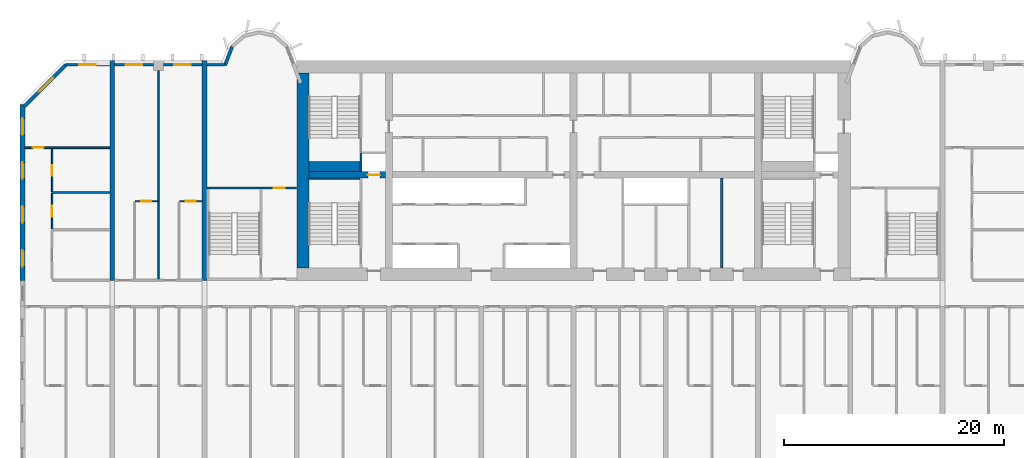
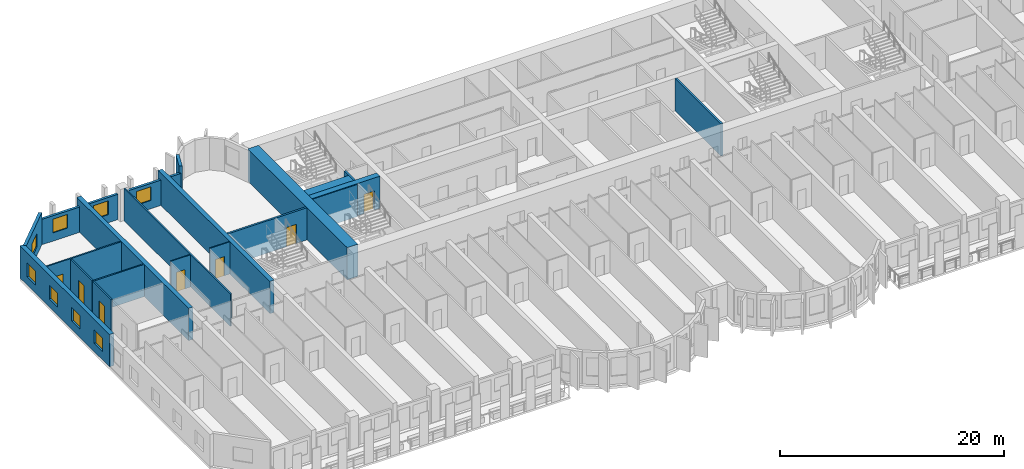
# One storey, part 6 of 15: 23 walls, 8 windows, 7 doors, 15 openings.
"""IFC4 building model written with IfcOpenShell, lengths in metres."""

from ifc_helpers import new_model, si_unit, direction, frame, frame_2d, origin, place, context, subcontext, project, spatial, rectangle, extrude, source, transform, mapped, material, layer, layer_set, type_object, element, fill, save


model = new_model("IFC4")

# Units and contexts
model_context = context("Model", 3, precision=1e-05, world=origin(), true_north=direction((0.0, 1.0)))
body_context = subcontext(model_context, "Body", "Model", "MODEL_VIEW")
ifc_project = project(units=[si_unit("LENGTHUNIT", "METRE"), si_unit("AREAUNIT", "SQUARE_METRE"), si_unit("VOLUMEUNIT", "CUBIC_METRE"), si_unit("PLANEANGLEUNIT", "RADIAN"), si_unit("MASSUNIT", "GRAM", prefix="KILO")], contexts=[model_context])

# Site, building, storey
site_placement = place(None, origin())
site = spatial("IfcSite", under=ifc_project, at=site_placement, CompositionType="ELEMENT")
building_placement = place(site_placement, origin())
building = spatial("IfcBuilding", under=site, at=building_placement, Name="Vanashikhar Sky Hotel", CompositionType="ELEMENT")
storey_placement = place(building_placement, frame((0.0, 0.0, 35.39990234375)))
storey = spatial("IfcBuildingStorey", under=building, at=storey_placement, Name="L07", CompositionType="ELEMENT", Elevation=35.39990234375)

# Wall
ifc_material_1 = material(Name="Concrete M80", Category="concrete")
ifc_layer_1 = layer(ifc_material_1, 1.10009765625)
ifc_layer_set_1 = layer_set([ifc_layer_1], Name="RC core shell wall 1100 Concrete M80")
wall_type_1 = type_object("IfcWallType", Name="RC core shell wall 1100 Concrete M80", PredefinedType="SHEAR", material=ifc_layer_set_1)
shared_shape_1 = source(origin(), body_context, "Body", "SweptSolid", [
    extrude(rectangle(XDim=17.7998046875, YDim=1.10009765625, at=frame_2d((8.89990234375, 0.0))), origin(), (0.0, 0.0, 1.0), 3.52001953125),
])
wall_1_placement = place(storey_placement, frame((25.75, 23.10009765625, 0.0), z_axis=(0.0, 0.0, 1.0), x_axis=(0.0, 1.0, 0.0)))
element("IfcWall", 1, at=wall_1_placement, inside=storey, type_object=wall_type_1, Name="KW-L07-KW", PredefinedType="SHEAR", context=body_context, shape_type="MappedRepresentation", body=[
    mapped(shared_shape_1, transform((0.0, 0.0, 0.0), scale=1.0)),
])

# Wall, opening, door
ifc_layer_2 = layer(ifc_material_1, 0.60009765625)
ifc_layer_set_2 = layer_set([ifc_layer_2], Name="RC core inner wall 600 Concrete M80")
wall_type_2 = type_object("IfcWallType", Name="RC core inner wall 600 Concrete M80", PredefinedType="SHEAR", material=ifc_layer_set_2)
shared_shape_2 = source(origin(), body_context, "Body", "SweptSolid", [
    extrude(rectangle(XDim=7.0, YDim=0.60009765625, at=frame_2d((3.5, 0.0))), origin(), (0.0, 0.0, 1.0), 3.52001953125),
])
wall_2_placement = place(storey_placement, frame((26.300048828125, 31.60009765625, 0.0), z_axis=(0.0, 0.0, 1.0), x_axis=(1.0, 0.0, 0.0)))
wall_2 = element("IfcWall", 2, at=wall_2_placement, inside=storey, type_object=wall_type_2, Name="KW-L07-KY1", PredefinedType="SHEAR", context=body_context, shape_type="MappedRepresentation", body=[
    mapped(shared_shape_2, transform((0.0, 0.0, 0.0), scale=1.0)),
])
shared_shape_3 = source(origin(), body_context, "Body", "SweptSolid", [
    extrude(rectangle(XDim=1.10009765625, YDim=2.10009765625, at=frame_2d((0.550048828125, 1.050048828125))), frame((0.0, 0.31005859375, 0.0), z_axis=(0.0, -1.0, 0.0), x_axis=(1.0, 0.0, 0.0)), (0.0, 0.0, 1.0), 0.6201171875),
])
opening_1_placement = place(wall_2_placement, frame((5.375, 0.0, 0.0)))
opening_1 = element("IfcOpeningElement", 3, at=opening_1_placement, cuts=wall_2, Name="Opening LD", PredefinedType="OPENING", context=body_context, shape_type="MappedRepresentation", body=[
    mapped(shared_shape_3, transform((0.0, 0.0, 0.0), scale=1.0)),
])
ifc_material_2 = material(Name="Stainless steel", Category="steel")
door_type_1 = type_object("IfcDoorType", Name="Lift landing door 1100", OperationType="NOTDEFINED", PredefinedType="DOOR", material=ifc_material_2)
shared_shape_4 = source(origin(), body_context, "Body", "SweptSolid", [
    extrude(rectangle(XDim=1.10009765625, YDim=2.10009765625, at=frame_2d((0.550048828125, 1.050048828125))), frame((0.0, 0.02490234375, 0.0), z_axis=(0.0, -1.0, 0.0), x_axis=(1.0, 0.0, 0.0)), (0.0, 0.0, 1.0), 0.050048828125),
])
door_1_placement = place(opening_1_placement, origin())
door_1 = element("IfcDoor", 4, at=door_1_placement, inside=storey, type_object=door_type_1, Name="Lift landing door 1100", OperationType="SLIDING_TO_RIGHT", OverallHeight=2.10009765625, OverallWidth=1.10009765625, PredefinedType="DOOR", context=body_context, shape_type="MappedRepresentation", body=[
    mapped(shared_shape_4, transform((0.0, 0.0, 0.0), scale=1.0)),
])
fill(opening_1, door_1)

# Wall, openings, windows
ifc_layer_3 = layer(ifc_material_1, 0.449951171875)
ifc_layer_set_3 = layer_set([ifc_layer_3], Name="RC shear wall 450 Concrete M80")
wall_type_3 = type_object("IfcWallType", Name="RC shear wall 450 Concrete M80", PredefinedType="SHEAR", material=ifc_layer_set_3)
shared_shape_5 = source(origin(), body_context, "Body", "SweptSolid", [
    extrude(rectangle(XDim=16.0, YDim=0.449951171875, at=frame_2d((8.0, 0.0))), origin(), (0.0, 0.0, 1.0), 3.52001953125),
])
wall_3_placement = place(storey_placement, frame((0.22509765625, 22.0, 0.0), z_axis=(0.0, 0.0, 1.0), x_axis=(0.0, 1.0, 0.0)))
wall_3 = element("IfcWall", 5, at=wall_3_placement, inside=storey, type_object=wall_type_3, Name="CW-L07-XW01-2", PredefinedType="SHEAR", context=body_context, shape_type="MappedRepresentation", body=[
    mapped(shared_shape_5, transform((0.0, 0.0, 0.0), scale=1.0)),
])
shared_shape_6 = source(origin(), body_context, "Body", "SweptSolid", [
    extrude(rectangle(XDim=1.5, YDim=1.5, at=frame_2d((0.75, 0.75))), frame((0.0, 0.23486328125, 0.0), z_axis=(0.0, -1.0, 0.0), x_axis=(1.0, 0.0, 0.0)), (0.0, 0.0, 1.0), 0.469970703125),
])
opening_2_placement = place(wall_3_placement, frame((1.25, 0.0, 0.89990234375)))
opening_2 = element("IfcOpeningElement", 6, at=opening_2_placement, cuts=wall_3, Name="Opening WN-1", PredefinedType="OPENING", context=body_context, shape_type="MappedRepresentation", body=[
    mapped(shared_shape_6, transform((0.0, 0.0, 0.0), scale=1.0)),
])
opening_3_placement = place(wall_3_placement, frame((5.25, 0.0, 0.89990234375)))
opening_3 = element("IfcOpeningElement", 7, at=opening_3_placement, cuts=wall_3, Name="Opening WN-1", PredefinedType="OPENING", context=body_context, shape_type="MappedRepresentation", body=[
    mapped(shared_shape_6, transform((0.0, 0.0, 0.0), scale=1.0)),
])
opening_4_placement = place(wall_3_placement, frame((9.25, 0.0, 0.89990234375)))
opening_4 = element("IfcOpeningElement", 8, at=opening_4_placement, cuts=wall_3, Name="Opening WN-1", PredefinedType="OPENING", context=body_context, shape_type="MappedRepresentation", body=[
    mapped(shared_shape_6, transform((0.0, 0.0, 0.0), scale=1.0)),
])
opening_5_placement = place(wall_3_placement, frame((13.25, 0.0, 0.89990234375)))
opening_5 = element("IfcOpeningElement", 9, at=opening_5_placement, cuts=wall_3, Name="Opening WN-1", PredefinedType="OPENING", context=body_context, shape_type="MappedRepresentation", body=[
    mapped(shared_shape_6, transform((0.0, 0.0, 0.0), scale=1.0)),
])
ifc_material_3 = material(Name="Glass", Category="glass")
window_type_1 = type_object("IfcWindowType", Name="Window 1500 x 1500", PartitioningType="SINGLE_PANEL", PredefinedType="WINDOW", material=ifc_material_3)
shared_shape_7 = source(origin(), body_context, "Body", "SweptSolid", [
    extrude(rectangle(XDim=1.5, YDim=1.5, at=frame_2d((0.75, 0.75))), frame((0.0, 0.030029296875, 0.0), z_axis=(0.0, -1.0, 0.0), x_axis=(1.0, 0.0, 0.0)), (0.0, 0.0, 1.0), 0.06005859375),
])
window_1_placement = place(opening_2_placement, origin())
window_1 = element("IfcWindow", 10, at=window_1_placement, inside=storey, type_object=window_type_1, Name="Window WN-1", OverallHeight=1.5, OverallWidth=1.5, PartitioningType="SINGLE_PANEL", PredefinedType="WINDOW", context=body_context, shape_type="MappedRepresentation", body=[
    mapped(shared_shape_7, transform((0.0, 0.0, 0.0), scale=1.0)),
])
fill(opening_2, window_1)
window_2_placement = place(opening_3_placement, origin())
window_2 = element("IfcWindow", 11, at=window_2_placement, inside=storey, type_object=window_type_1, Name="Window WN-1", OverallHeight=1.5, OverallWidth=1.5, PartitioningType="SINGLE_PANEL", PredefinedType="WINDOW", context=body_context, shape_type="MappedRepresentation", body=[
    mapped(shared_shape_7, transform((0.0, 0.0, 0.0), scale=1.0)),
])
fill(opening_3, window_2)
window_3_placement = place(opening_4_placement, origin())
window_3 = element("IfcWindow", 12, at=window_3_placement, inside=storey, type_object=window_type_1, Name="Window WN-1", OverallHeight=1.5, OverallWidth=1.5, PartitioningType="SINGLE_PANEL", PredefinedType="WINDOW", context=body_context, shape_type="MappedRepresentation", body=[
    mapped(shared_shape_7, transform((0.0, 0.0, 0.0), scale=1.0)),
])
fill(opening_4, window_3)
window_4_placement = place(opening_5_placement, origin())
window_4 = element("IfcWindow", 13, at=window_4_placement, inside=storey, type_object=window_type_1, Name="Window WN-1", OverallHeight=1.5, OverallWidth=1.5, PartitioningType="SINGLE_PANEL", PredefinedType="WINDOW", context=body_context, shape_type="MappedRepresentation", body=[
    mapped(shared_shape_7, transform((0.0, 0.0, 0.0), scale=1.0)),
])
fill(opening_5, window_4)

# Walls
shared_shape_8 = source(origin(), body_context, "Body", "SweptSolid", [
    extrude(rectangle(XDim=20.0, YDim=0.449951171875, at=frame_2d((10.0, 0.0))), origin(), (0.0, 0.0, 1.0), 3.52001953125),
])
for number, where, z_axis, x_axis, name in (
    (14, (8.39990234375, 22.0, 0.0), (0.0, 0.0, 1.0), (0.0, 1.0, 0.0), "CW-L07-XW02-2"),
    (15, (16.800048828125, 22.0, 0.0), (0.0, 0.0, 1.0), (0.0, 1.0, 0.0), "CW-L07-XW03-2"),
):
    element("IfcWall", number, at=place(storey_placement, frame(where, z_axis=z_axis, x_axis=x_axis)), inside=storey, type_object=wall_type_3, Name=name, PredefinedType="SHEAR", context=body_context, shape_type="MappedRepresentation", body=[
        mapped(shared_shape_8, transform((0.0, 0.0, 0.0), scale=1.0)),
    ])

# Wall, opening, window
ifc_material_4 = material(Name="Concrete M50", Category="concrete")
ifc_layer_4 = layer(ifc_material_4, 0.300048828125)
ifc_layer_set_4 = layer_set([ifc_layer_4], Name="Lobe wall 300")
wall_type_4 = type_object("IfcWallType", Name="Lobe wall 300", PredefinedType="SOLIDWALL", material=ifc_layer_set_4)
shared_shape_9 = source(origin(), body_context, "Body", "SweptSolid", [
    extrude(rectangle(XDim=5.32568359375, YDim=0.300048828125, at=frame_2d((2.662841796875, 0.0))), origin(), (0.0, 0.0, 1.0), 3.52001953125),
])
wall_4_placement = place(storey_placement, frame((4.165771484375, 41.60009765625, 0.0), z_axis=(0.0, 0.0, 1.0), x_axis=(-0.707106781187, -0.707106781187, 0.0)))
wall_4 = element("IfcWall", 16, at=wall_4_placement, inside=storey, type_object=wall_type_4, Name="Corner wall", PredefinedType="SOLIDWALL", context=body_context, shape_type="MappedRepresentation", body=[
    mapped(shared_shape_9, transform((0.0, 0.0, 0.0), scale=1.0)),
])
shared_shape_10 = source(origin(), body_context, "Body", "SweptSolid", [
    extrude(rectangle(XDim=1.800048828125, YDim=1.5, at=frame_2d((0.89990234375, 0.75))), frame((0.0, 0.16015625, 0.0), z_axis=(0.0, -1.0, 0.0), x_axis=(1.0, 0.0, 0.0)), (0.0, 0.0, 1.0), 0.320068359375),
])
opening_6_placement = place(wall_4_placement, frame((1.636474609375, 0.0, 0.89990234375)))
opening_6 = element("IfcOpeningElement", 17, at=opening_6_placement, cuts=wall_4, Name="Opening WN-4", PredefinedType="OPENING", context=body_context, shape_type="MappedRepresentation", body=[
    mapped(shared_shape_10, transform((0.0, 0.0, 0.0), scale=1.0)),
])
window_type_2 = type_object("IfcWindowType", Name="Corner window 1800 x 1500", PartitioningType="SINGLE_PANEL", PredefinedType="WINDOW", material=ifc_material_3)
shared_shape_11 = source(origin(), body_context, "Body", "SweptSolid", [
    extrude(rectangle(XDim=1.800048828125, YDim=1.5, at=frame_2d((0.89990234375, 0.75))), frame((0.0, 0.030029296875, 0.0), z_axis=(0.0, -1.0, 0.0), x_axis=(1.0, 0.0, 0.0)), (0.0, 0.0, 1.0), 0.06005859375),
])
window_5_placement = place(opening_6_placement, origin())
window_5 = element("IfcWindow", 18, at=window_5_placement, inside=storey, type_object=window_type_2, Name="Window WN-4", OverallHeight=1.5, OverallWidth=1.800048828125, PartitioningType="SINGLE_PANEL", PredefinedType="WINDOW", context=body_context, shape_type="MappedRepresentation", body=[
    mapped(shared_shape_11, transform((0.0, 0.0, 0.0), scale=1.0)),
])
fill(opening_6, window_5)

ifc_layer_5 = layer(ifc_material_4, 0.25)
ifc_layer_set_5 = layer_set([ifc_layer_5], Name="Rear and end board-marked wall 250")
wall_type_5 = type_object("IfcWallType", Name="Rear and end board-marked wall 250", PredefinedType="SOLIDWALL", material=ifc_layer_set_5)
shared_shape_12 = source(origin(), body_context, "Body", "SweptSolid", [
    extrude(rectangle(XDim=4.019775390625, YDim=0.25, at=frame_2d((2.009765625, 0.0))), origin(), (0.0, 0.0, 1.0), 2.77001953125),
])
wall_5_placement = place(storey_placement, frame((8.175048828125, 41.625, 0.0), z_axis=(0.0, 0.0, 1.0), x_axis=(-1.0, 0.0, 0.0)))
wall_5 = element("IfcWall", 19, at=wall_5_placement, inside=storey, type_object=wall_type_5, Name="Rear board-marked wall", PredefinedType="SOLIDWALL", context=body_context, shape_type="MappedRepresentation", body=[
    mapped(shared_shape_12, transform((0.0, 0.0, 0.0), scale=1.0)),
])
shared_shape_13 = source(origin(), body_context, "Body", "SweptSolid", [
    extrude(rectangle(XDim=1.5, YDim=1.5, at=frame_2d((0.75, 0.75))), frame((0.0, 0.135009765625, 0.0), z_axis=(0.0, -1.0, 0.0), x_axis=(1.0, 0.0, 0.0)), (0.0, 0.0, 1.0), 0.27001953125),
])
opening_7_placement = place(wall_5_placement, frame((1.260009765625, 0.0, 0.89990234375)))
opening_7 = element("IfcOpeningElement", 20, at=opening_7_placement, cuts=wall_5, Name="Opening WN-1", PredefinedType="OPENING", context=body_context, shape_type="MappedRepresentation", body=[
    mapped(shared_shape_13, transform((0.0, 0.0, 0.0), scale=1.0)),
])
window_6_placement = place(opening_7_placement, origin())
window_6 = element("IfcWindow", 21, at=window_6_placement, inside=storey, type_object=window_type_1, Name="Window WN-1", OverallHeight=1.5, OverallWidth=1.5, PartitioningType="SINGLE_PANEL", PredefinedType="WINDOW", context=body_context, shape_type="MappedRepresentation", body=[
    mapped(shared_shape_7, transform((0.0, 0.0, 0.0), scale=1.0)),
])
fill(opening_7, window_6)

# Wall
shared_shape_14 = source(origin(), body_context, "Body", "SweptSolid", [
    extrude(rectangle(XDim=1.81201171875, YDim=0.300048828125, at=frame_2d((0.906005859375, 0.0))), origin(), (0.0, 0.0, 1.0), 3.52001953125),
])
wall_6_placement = place(storey_placement, frame((19.323486328125, 43.2919921875, 0.0), z_axis=(0.0, 0.0, 1.0), x_axis=(-0.357877270961, -0.93376863244, 0.0)))
element("IfcWall", 22, at=wall_6_placement, inside=storey, type_object=wall_type_4, Name="Lobe wall", PredefinedType="SOLIDWALL", context=body_context, shape_type="MappedRepresentation", body=[
    mapped(shared_shape_14, transform((0.0, 0.0, 0.0), scale=1.0)),
])

# Wall, opening, window
shared_shape_15 = source(origin(), body_context, "Body", "SweptSolid", [
    extrude(rectangle(XDim=3.52490234375, YDim=0.25, at=frame_2d((1.762451171875, 0.0))), origin(), (0.0, 0.0, 1.0), 2.77001953125),
])
wall_7_placement = place(storey_placement, frame((12.14990234375, 41.625, 0.0), z_axis=(0.0, 0.0, 1.0), x_axis=(-1.0, 0.0, 0.0)))
wall_7 = element("IfcWall", 23, at=wall_7_placement, inside=storey, type_object=wall_type_5, Name="Rear board-marked wall", PredefinedType="SOLIDWALL", context=body_context, shape_type="MappedRepresentation", body=[
    mapped(shared_shape_15, transform((0.0, 0.0, 0.0), scale=1.0)),
])
opening_8_placement = place(wall_7_placement, frame((1.012451171875, 0.0, 0.89990234375)))
opening_8 = element("IfcOpeningElement", 24, at=opening_8_placement, cuts=wall_7, Name="Opening WN-1", PredefinedType="OPENING", context=body_context, shape_type="MappedRepresentation", body=[
    mapped(shared_shape_13, transform((0.0, 0.0, 0.0), scale=1.0)),
])
window_7_placement = place(opening_8_placement, origin())
window_7 = element("IfcWindow", 25, at=window_7_placement, inside=storey, type_object=window_type_1, Name="Window WN-1", OverallHeight=1.5, OverallWidth=1.5, PartitioningType="SINGLE_PANEL", PredefinedType="WINDOW", context=body_context, shape_type="MappedRepresentation", body=[
    mapped(shared_shape_7, transform((0.0, 0.0, 0.0), scale=1.0)),
])
fill(opening_8, window_7)

wall_8_placement = place(storey_placement, frame((16.574951171875, 41.625, 0.0), z_axis=(0.0, 0.0, 1.0), x_axis=(-1.0, 0.0, 0.0)))
wall_8 = element("IfcWall", 26, at=wall_8_placement, inside=storey, type_object=wall_type_5, Name="Rear board-marked wall", PredefinedType="SOLIDWALL", context=body_context, shape_type="MappedRepresentation", body=[
    mapped(shared_shape_15, transform((0.0, 0.0, 0.0), scale=1.0)),
])
opening_9_placement = place(wall_8_placement, frame((1.012451171875, 0.0, 0.89990234375)))
opening_9 = element("IfcOpeningElement", 27, at=opening_9_placement, cuts=wall_8, Name="Opening WN-1", PredefinedType="OPENING", context=body_context, shape_type="MappedRepresentation", body=[
    mapped(shared_shape_13, transform((0.0, 0.0, 0.0), scale=1.0)),
])
window_8_placement = place(opening_9_placement, origin())
window_8 = element("IfcWindow", 28, at=window_8_placement, inside=storey, type_object=window_type_1, Name="Window WN-1", OverallHeight=1.5, OverallWidth=1.5, PartitioningType="SINGLE_PANEL", PredefinedType="WINDOW", context=body_context, shape_type="MappedRepresentation", body=[
    mapped(shared_shape_7, transform((0.0, 0.0, 0.0), scale=1.0)),
])
fill(opening_9, window_8)

# Walls
shared_shape_16 = source(origin(), body_context, "Body", "SweptSolid", [
    extrude(rectangle(XDim=1.633056640625, YDim=0.25, at=frame_2d((0.81640625, 0.0))), origin(), (0.0, 0.0, 1.0), 2.77001953125),
])
wall_9_placement = place(storey_placement, frame((18.657958984375, 41.625, 0.0), z_axis=(0.0, 0.0, 1.0), x_axis=(-1.0, 0.0, 0.0)))
element("IfcWall", 29, at=wall_9_placement, inside=storey, type_object=wall_type_5, Name="Rear board-marked wall", PredefinedType="SOLIDWALL", context=body_context, shape_type="MappedRepresentation", body=[
    mapped(shared_shape_16, transform((0.0, 0.0, 0.0), scale=1.0)),
])
ifc_material_5 = material(Name="Gypsum board partition")
ifc_layer_6 = layer(ifc_material_5, 0.14990234375)
ifc_layer_set_6 = layer_set([ifc_layer_6], Name="Service partition 150")
wall_type_6 = type_object("IfcWallType", Name="Service partition 150", PredefinedType="PARTITIONING", material=ifc_layer_set_6)
shared_shape_17 = source(origin(), body_context, "Body", "SweptSolid", [
    extrude(rectangle(XDim=8.199951171875, YDim=0.199951171875, at=frame_2d((4.10009765625, 0.0))), origin(), (0.0, 0.0, 1.0), 3.52001953125),
])
wall_10_placement = place(storey_placement, frame((63.89990234375, 23.10009765625, 0.0), z_axis=(0.0, 0.0, 1.0), x_axis=(0.0, 1.0, 0.0)))
element("IfcWall", 30, at=wall_10_placement, inside=storey, type_object=wall_type_6, Name="Service partition 150", PredefinedType="PARTITIONING", context=body_context, shape_type="MappedRepresentation", body=[
    mapped(shared_shape_17, transform((0.0, 0.0, 0.0), scale=1.0)),
])
ifc_material_6 = material(Name="Concrete M40", Category="concrete")
ifc_layer_7 = layer(ifc_material_6, 0.199951171875)
ifc_layer_set_7 = layer_set([ifc_layer_7], Name="Shaft wall 200")
wall_type_7 = type_object("IfcWallType", Name="Shaft wall 200", PredefinedType="SOLIDWALL", material=ifc_layer_set_7)
shared_shape_18 = source(origin(), body_context, "Body", "SweptSolid", [
    extrude(rectangle(XDim=1.7001953125, YDim=0.199951171875, at=frame_2d((0.85009765625, 0.0))), origin(), (0.0, 0.0, 1.0), 3.52001953125),
])
wall_11_placement = place(storey_placement, frame((31.050048828125, 31.89990234375, 0.0), z_axis=(0.0, 0.0, 1.0), x_axis=(0.0, 1.0, 0.0)))
element("IfcWall", 31, at=wall_11_placement, inside=storey, type_object=wall_type_7, Name="Shaft wall 200", PredefinedType="SOLIDWALL", context=body_context, shape_type="MappedRepresentation", body=[
    mapped(shared_shape_18, transform((0.0, 0.0, 0.0), scale=1.0)),
])

# Wall, opening, door
ifc_layer_8 = layer(ifc_material_4, 0.199951171875)
ifc_layer_set_8 = layer_set([ifc_layer_8], Name="Stair wall 200")
wall_type_8 = type_object("IfcWallType", Name="Stair wall 200", PredefinedType="SOLIDWALL", material=ifc_layer_set_8)
shared_shape_19 = source(origin(), body_context, "Body", "SweptSolid", [
    extrude(rectangle(XDim=8.175048828125, YDim=0.199951171875, at=frame_2d((4.08740234375, 0.0))), origin(), (0.0, 0.0, 1.0), 3.52001953125),
])
wall_12_placement = place(storey_placement, frame((17.02490234375, 30.39990234375, 0.0), z_axis=(0.0, 0.0, 1.0), x_axis=(1.0, 0.0, 0.0)))
wall_12 = element("IfcWall", 32, at=wall_12_placement, inside=storey, type_object=wall_type_8, Name="Stair wall 200", PredefinedType="SOLIDWALL", context=body_context, shape_type="MappedRepresentation", body=[
    mapped(shared_shape_19, transform((0.0, 0.0, 0.0), scale=1.0)),
])
shared_shape_20 = source(origin(), body_context, "Body", "SweptSolid", [
    extrude(rectangle(XDim=1.0, YDim=2.10009765625, at=frame_2d((0.5, 1.050048828125))), frame((0.0, 0.10986328125, 0.0), z_axis=(0.0, -1.0, 0.0), x_axis=(1.0, 0.0, 0.0)), (0.0, 0.0, 1.0), 0.219970703125),
])
opening_10_placement = place(wall_12_placement, frame((6.074951171875, 0.0, 0.0)))
opening_10 = element("IfcOpeningElement", 33, at=opening_10_placement, cuts=wall_12, Name="Opening DC-6", PredefinedType="OPENING", context=body_context, shape_type="MappedRepresentation", body=[
    mapped(shared_shape_20, transform((0.0, 0.0, 0.0), scale=1.0)),
])
ifc_material_7 = material(Name="Steel", Category="steel")
door_type_2 = type_object("IfcDoorType", Name="Pocket door 1000 FD60", OperationType="NOTDEFINED", PredefinedType="DOOR", material=ifc_material_7)
shared_shape_21 = source(origin(), body_context, "Body", "SweptSolid", [
    extrude(rectangle(XDim=1.0, YDim=2.10009765625, at=frame_2d((0.5, 1.050048828125))), frame((0.0, 0.02490234375, 0.0), z_axis=(0.0, -1.0, 0.0), x_axis=(1.0, 0.0, 0.0)), (0.0, 0.0, 1.0), 0.050048828125),
])
door_2_placement = place(opening_10_placement, origin())
door_2 = element("IfcDoor", 34, at=door_2_placement, inside=storey, type_object=door_type_2, Name="Pocket door 1000 FD60", OperationType="SINGLE_SWING_LEFT", OverallHeight=2.10009765625, OverallWidth=1.0, PredefinedType="DOOR", context=body_context, shape_type="MappedRepresentation", body=[
    mapped(shared_shape_21, transform((0.0, 0.0, 0.0), scale=1.0)),
])
fill(opening_10, door_2)

# Walls
ifc_layer_9 = layer(ifc_material_4, 0.10009765625)
ifc_layer_set_9 = layer_set([ifc_layer_9], Name="Stair infill wall 100")
wall_type_9 = type_object("IfcWallType", Name="Stair infill wall 100", PredefinedType="SOLIDWALL", material=ifc_layer_set_9)
shared_shape_22 = source(origin(), body_context, "Body", "SweptSolid", [
    extrude(rectangle(XDim=4.64990234375, YDim=0.10009765625, at=frame_2d((2.324951171875, 0.0))), origin(), (0.0, 0.0, 1.0), 3.52001953125),
])
wall_13_placement = place(storey_placement, frame((26.300048828125, 31.25, 0.0), z_axis=(0.0, 0.0, 1.0), x_axis=(1.0, 0.0, 0.0)))
element("IfcWall", 35, at=wall_13_placement, inside=storey, type_object=wall_type_9, Name="Stair infill wall 100", PredefinedType="SOLIDWALL", context=body_context, shape_type="MappedRepresentation", body=[
    mapped(shared_shape_22, transform((0.0, 0.0, 0.0), scale=1.0)),
])
ifc_layer_10 = layer(ifc_material_4, 0.89990234375)
ifc_layer_set_10 = layer_set([ifc_layer_10], Name="Stair infill wall 900")
wall_type_10 = type_object("IfcWallType", Name="Stair infill wall 900", PredefinedType="SOLIDWALL", material=ifc_layer_set_10)
shared_shape_23 = source(origin(), body_context, "Body", "SweptSolid", [
    extrude(rectangle(XDim=4.64990234375, YDim=0.89990234375, at=frame_2d((2.324951171875, 0.0))), origin(), (0.0, 0.0, 1.0), 3.52001953125),
])
wall_14_placement = place(storey_placement, frame((26.300048828125, 32.35009765625, 0.0), z_axis=(0.0, 0.0, 1.0), x_axis=(1.0, 0.0, 0.0)))
element("IfcWall", 36, at=wall_14_placement, inside=storey, type_object=wall_type_10, Name="Stair infill wall 900", PredefinedType="SOLIDWALL", context=body_context, shape_type="MappedRepresentation", body=[
    mapped(shared_shape_23, transform((0.0, 0.0, 0.0), scale=1.0)),
])

# Wall, opening, door
ifc_material_8 = material(Name="Gypsum plasterboard partition")
ifc_layer_11 = layer(ifc_material_8, 0.10009765625)
ifc_layer_set_11 = layer_set([ifc_layer_11], Name="Wet room partition 100")
wall_type_11 = type_object("IfcWallType", Name="Wet room partition 100", PredefinedType="PARTITIONING", material=ifc_layer_set_11)
shared_shape_24 = source(origin(), body_context, "Body", "SweptSolid", [
    extrude(rectangle(XDim=2.050048828125, YDim=0.10009765625, at=frame_2d((1.02490234375, 0.0))), origin(), (0.0, 0.0, 1.0), 3.52001953125),
])
wall_15_placement = place(storey_placement, frame((14.52490234375, 29.199951171875, 0.0), z_axis=(0.0, 0.0, 1.0), x_axis=(1.0, 0.0, 0.0)))
wall_15 = element("IfcWall", 37, at=wall_15_placement, inside=storey, type_object=wall_type_11, Name="W-L07-PW098", PredefinedType="PARTITIONING", context=body_context, shape_type="MappedRepresentation", body=[
    mapped(shared_shape_24, transform((0.0, 0.0, 0.0), scale=1.0)),
])
shared_shape_25 = source(origin(), body_context, "Body", "SweptSolid", [
    extrude(rectangle(XDim=0.89990234375, YDim=2.10009765625, at=frame_2d((0.449951171875, 1.050048828125))), frame((0.0, 0.06005859375, 0.0), z_axis=(0.0, -1.0, 0.0), x_axis=(1.0, 0.0, 0.0)), (0.0, 0.0, 1.0), 0.1201171875),
])
opening_11_placement = place(wall_15_placement, frame((0.574951171875, 0.0, 0.0)))
opening_11 = element("IfcOpeningElement", 38, at=opening_11_placement, cuts=wall_15, Name="Opening D-02", PredefinedType="OPENING", context=body_context, shape_type="MappedRepresentation", body=[
    mapped(shared_shape_25, transform((0.0, 0.0, 0.0), scale=1.0)),
])
ifc_material_9 = material(Name="Timber door", Category="wood")
door_type_3 = type_object("IfcDoorType", Name="Internal door 900", OperationType="NOTDEFINED", PredefinedType="DOOR", material=ifc_material_9)
shared_shape_26 = source(origin(), body_context, "Body", "SweptSolid", [
    extrude(rectangle(XDim=0.89990234375, YDim=2.10009765625, at=frame_2d((0.449951171875, 1.050048828125))), frame((0.0, 0.02490234375, 0.0), z_axis=(0.0, -1.0, 0.0), x_axis=(1.0, 0.0, 0.0)), (0.0, 0.0, 1.0), 0.050048828125),
])
door_3_placement = place(opening_11_placement, origin())
door_3 = element("IfcDoor", 39, at=door_3_placement, inside=storey, type_object=door_type_3, Name="D-L07-055", OperationType="SINGLE_SWING_LEFT", OverallHeight=2.10009765625, OverallWidth=0.89990234375, PredefinedType="DOOR", context=body_context, shape_type="MappedRepresentation", body=[
    mapped(shared_shape_26, transform((0.0, 0.0, 0.0), scale=1.0)),
])
fill(opening_11, door_3)

shared_shape_27 = source(origin(), body_context, "Body", "SweptSolid", [
    extrude(rectangle(XDim=2.0498046875, YDim=0.10009765625, at=frame_2d((1.02490234375, 0.0))), origin(), (0.0, 0.0, 1.0), 3.52001953125),
])
wall_16_placement = place(storey_placement, frame((10.47509765625, 29.199951171875, 0.0), z_axis=(0.0, 0.0, 1.0), x_axis=(1.0, 0.0, 0.0)))
wall_16 = element("IfcWall", 40, at=wall_16_placement, inside=storey, type_object=wall_type_11, Name="W-L07-PW095", PredefinedType="PARTITIONING", context=body_context, shape_type="MappedRepresentation", body=[
    mapped(shared_shape_27, transform((0.0, 0.0, 0.0), scale=1.0)),
])
opening_12_placement = place(wall_16_placement, frame((0.574951171875, 0.0, 0.0)))
opening_12 = element("IfcOpeningElement", 41, at=opening_12_placement, cuts=wall_16, Name="Opening D-02", PredefinedType="OPENING", context=body_context, shape_type="MappedRepresentation", body=[
    mapped(shared_shape_25, transform((0.0, 0.0, 0.0), scale=1.0)),
])
door_4_placement = place(opening_12_placement, origin())
door_4 = element("IfcDoor", 42, at=door_4_placement, inside=storey, type_object=door_type_3, Name="D-L07-053", OperationType="SINGLE_SWING_LEFT", OverallHeight=2.10009765625, OverallWidth=0.89990234375, PredefinedType="DOOR", context=body_context, shape_type="MappedRepresentation", body=[
    mapped(shared_shape_26, transform((0.0, 0.0, 0.0), scale=1.0)),
])
fill(opening_12, door_4)

# Wall
ifc_layer_12 = layer(ifc_material_8, 0.14990234375)
ifc_layer_set_12 = layer_set([ifc_layer_12], Name="Corridor and demising partition 150")
wall_type_12 = type_object("IfcWallType", Name="Corridor and demising partition 150", PredefinedType="PARTITIONING", material=ifc_layer_set_12)
shared_shape_28 = source(origin(), body_context, "Body", "SweptSolid", [
    extrude(rectangle(XDim=5.175048828125, YDim=0.14990234375, at=frame_2d((2.58740234375, 0.0))), origin(), (0.0, 0.0, 1.0), 3.52001953125),
])
wall_17_placement = place(storey_placement, frame((3.0, 30.0, 0.0), z_axis=(0.0, 0.0, 1.0), x_axis=(1.0, 0.0, 0.0)))
element("IfcWall", 43, at=wall_17_placement, inside=storey, type_object=wall_type_12, Name="W-L07-PW091", PredefinedType="PARTITIONING", context=body_context, shape_type="MappedRepresentation", body=[
    mapped(shared_shape_28, transform((0.0, 0.0, 0.0), scale=1.0)),
])

# Wall, opening, door
shared_shape_29 = source(origin(), body_context, "Body", "SweptSolid", [
    extrude(rectangle(XDim=3.25, YDim=0.14990234375, at=frame_2d((1.625, 0.0))), origin(), (0.0, 0.0, 1.0), 3.52001953125),
])
wall_18_placement = place(storey_placement, frame((2.925048828125, 26.675048828125, 0.0), z_axis=(0.0, 0.0, 1.0), x_axis=(0.0, 1.0, 0.0)))
wall_18 = element("IfcWall", 44, at=wall_18_placement, inside=storey, type_object=wall_type_12, Name="W-L07-PW090", PredefinedType="PARTITIONING", context=body_context, shape_type="MappedRepresentation", body=[
    mapped(shared_shape_29, transform((0.0, 0.0, 0.0), scale=1.0)),
])
shared_shape_30 = source(origin(), body_context, "Body", "SweptSolid", [
    extrude(rectangle(XDim=1.0, YDim=2.10009765625, at=frame_2d((0.5, 1.050048828125))), frame((0.0, 0.0849609375, 0.0), z_axis=(0.0, -1.0, 0.0), x_axis=(1.0, 0.0, 0.0)), (0.0, 0.0, 1.0), 0.169921875),
])
opening_13_placement = place(wall_18_placement, frame((1.125, 0.0, 0.0)))
opening_13 = element("IfcOpeningElement", 45, at=opening_13_placement, cuts=wall_18, Name="Opening D-01", PredefinedType="OPENING", context=body_context, shape_type="MappedRepresentation", body=[
    mapped(shared_shape_30, transform((0.0, 0.0, 0.0), scale=1.0)),
])
ifc_material_10 = material(Name="Timber fire door", Category="wood")
door_type_4 = type_object("IfcDoorType", Name="Guest entry door 1000 FD30S", OperationType="NOTDEFINED", PredefinedType="DOOR", material=ifc_material_10)
door_5_placement = place(opening_13_placement, origin())
door_5 = element("IfcDoor", 46, at=door_5_placement, inside=storey, type_object=door_type_4, Name="D-L07-050", OperationType="SINGLE_SWING_LEFT", OverallHeight=2.10009765625, OverallWidth=1.0, PredefinedType="DOOR", context=body_context, shape_type="MappedRepresentation", body=[
    mapped(shared_shape_21, transform((0.0, 0.0, 0.0), scale=1.0)),
])
fill(opening_13, door_5)

shared_shape_31 = source(origin(), body_context, "Body", "SweptSolid", [
    extrude(rectangle(XDim=3.85009765625, YDim=0.14990234375, at=frame_2d((1.925048828125, 0.0))), origin(), (0.0, 0.0, 1.0), 3.52001953125),
])
wall_19_placement = place(storey_placement, frame((2.925048828125, 30.074951171875, 0.0), z_axis=(0.0, 0.0, 1.0), x_axis=(0.0, 1.0, 0.0)))
wall_19 = element("IfcWall", 47, at=wall_19_placement, inside=storey, type_object=wall_type_12, Name="W-L07-PW092", PredefinedType="PARTITIONING", context=body_context, shape_type="MappedRepresentation", body=[
    mapped(shared_shape_31, transform((0.0, 0.0, 0.0), scale=1.0)),
])
opening_14_placement = place(wall_19_placement, frame((1.425048828125, 0.0, 0.0)))
opening_14 = element("IfcOpeningElement", 48, at=opening_14_placement, cuts=wall_19, Name="Opening D-01", PredefinedType="OPENING", context=body_context, shape_type="MappedRepresentation", body=[
    mapped(shared_shape_30, transform((0.0, 0.0, 0.0), scale=1.0)),
])
door_6_placement = place(opening_14_placement, origin())
door_6 = element("IfcDoor", 49, at=door_6_placement, inside=storey, type_object=door_type_4, Name="D-L07-051", OperationType="SINGLE_SWING_LEFT", OverallHeight=2.10009765625, OverallWidth=1.0, PredefinedType="DOOR", context=body_context, shape_type="MappedRepresentation", body=[
    mapped(shared_shape_21, transform((0.0, 0.0, 0.0), scale=1.0)),
])
fill(opening_14, door_6)

shared_shape_32 = source(origin(), body_context, "Body", "SweptSolid", [
    extrude(rectangle(XDim=7.72509765625, YDim=0.14990234375, at=frame_2d((3.862548828125, 0.0))), origin(), (0.0, 0.0, 1.0), 3.52001953125),
])
wall_20_placement = place(storey_placement, frame((0.449951171875, 34.074951171875, 0.0), z_axis=(0.0, 0.0, 1.0), x_axis=(1.0, 0.0, 0.0)))
wall_20 = element("IfcWall", 50, at=wall_20_placement, inside=storey, type_object=wall_type_12, Name="W-L07-PW093", PredefinedType="PARTITIONING", context=body_context, shape_type="MappedRepresentation", body=[
    mapped(shared_shape_32, transform((0.0, 0.0, 0.0), scale=1.0)),
])
opening_15_placement = place(wall_20_placement, frame((0.699951171875, 0.0, 0.0)))
opening_15 = element("IfcOpeningElement", 51, at=opening_15_placement, cuts=wall_20, Name="Opening D-01", PredefinedType="OPENING", context=body_context, shape_type="MappedRepresentation", body=[
    mapped(shared_shape_30, transform((0.0, 0.0, 0.0), scale=1.0)),
])
door_7_placement = place(opening_15_placement, origin())
door_7 = element("IfcDoor", 52, at=door_7_placement, inside=storey, type_object=door_type_4, Name="D-L07-052", OperationType="SINGLE_SWING_LEFT", OverallHeight=2.10009765625, OverallWidth=1.0, PredefinedType="DOOR", context=body_context, shape_type="MappedRepresentation", body=[
    mapped(shared_shape_21, transform((0.0, 0.0, 0.0), scale=1.0)),
])
fill(opening_15, door_7)

# Wall
shared_shape_33 = source(origin(), body_context, "Body", "SweptSolid", [
    extrude(rectangle(XDim=19.025146484375, YDim=0.14990234375, at=frame_2d((9.5126953125, 0.0))), origin(), (0.0, 0.0, 1.0), 3.52001953125),
])
wall_21_placement = place(storey_placement, frame((12.60009765625, 22.074951171875, 0.0), z_axis=(0.0, 0.0, 1.0), x_axis=(0.0, 1.0, 0.0)))
element("IfcWall", 53, at=wall_21_placement, inside=storey, type_object=wall_type_12, Name="W-L07-PW100", PredefinedType="PARTITIONING", context=body_context, shape_type="MappedRepresentation", body=[
    mapped(shared_shape_33, transform((0.0, 0.0, 0.0), scale=1.0)),
])

save(model, "model.ifc")
